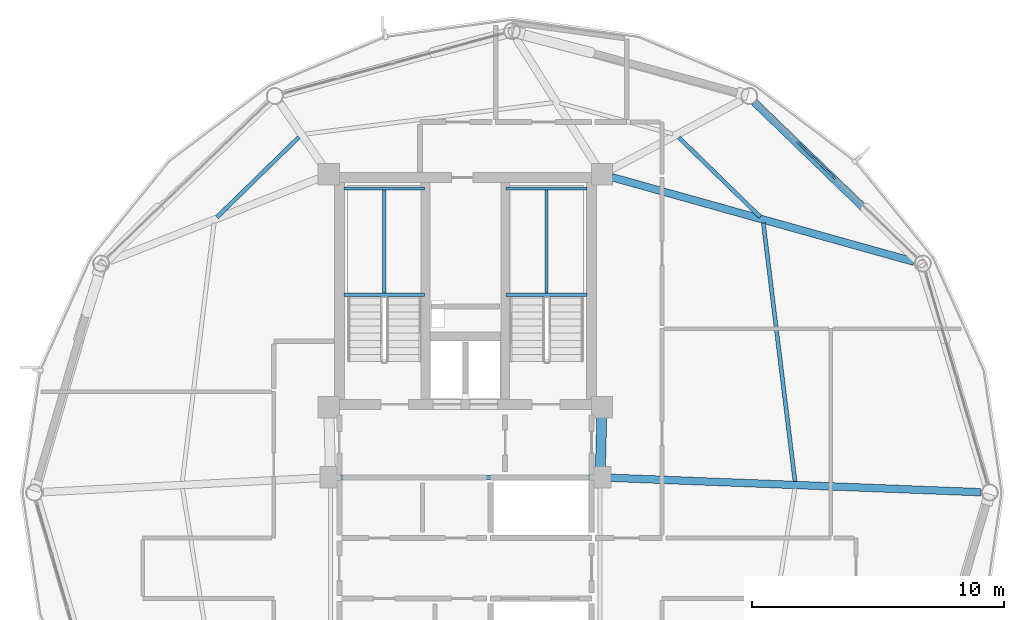
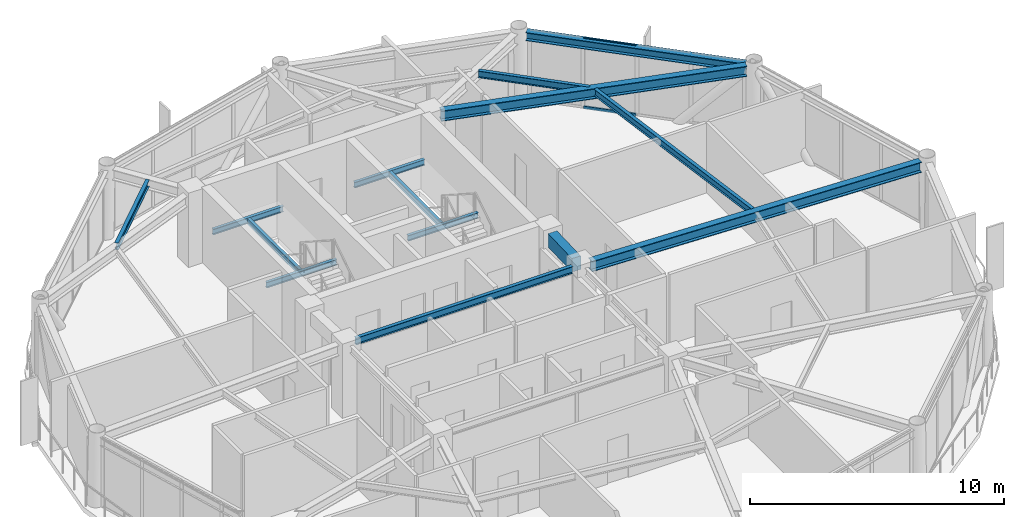
# One storey, part 14 of 26: 14 beams, 2 members, 1 element without a shape of its own.
"""IFC4 building model written with IfcOpenShell, lengths in metres."""

from ifc_helpers import new_model, si_unit, direction, frame, origin, origin_2d, place, context, subcontext, project, spatial, rectangle, hollow_rectangle, i_section, extrude, material, layer, layer_set, material_profile, profile_set, type_object, element, aggregate, save


model = new_model("IFC4")

# Units and contexts
model_context = context("Model", 3, precision=1e-05, world=origin(), true_north=direction((0.0, 1.0)))
body_context = subcontext(model_context, "Body", "Model", "MODEL_VIEW")
ifc_project = project(units=[si_unit("LENGTHUNIT", "METRE"), si_unit("AREAUNIT", "SQUARE_METRE"), si_unit("VOLUMEUNIT", "CUBIC_METRE"), si_unit("PLANEANGLEUNIT", "RADIAN"), si_unit("MASSUNIT", "GRAM", prefix="KILO")], contexts=[model_context])

# Site, building, storey
site_placement = place(None, origin())
site = spatial("IfcSite", under=ifc_project, at=site_placement, CompositionType="ELEMENT")
building_placement = place(site_placement, origin())
building = spatial("IfcBuilding", under=site, at=building_placement, Name="Varnakorn Sky Granary", CompositionType="ELEMENT")
storey_placement = place(building_placement, frame((0.0, 0.0, 222.0)))
storey = spatial("IfcBuildingStorey", under=building, at=storey_placement, Name="L56", CompositionType="ELEMENT", Elevation=222.0)

# Beams
ifc_material_1 = material(Name="Concrete C50/60", Category="concrete")
ifc_material_profile_1 = material_profile(ifc_material_1, rectangle(XDim=0.39990234375, YDim=0.64990234375, at=origin_2d()), Name="RC 400x650")
ifc_profile_set_1 = profile_set([ifc_material_profile_1], Name="Concrete C50/60")
beam_type_1 = type_object("IfcBeamType", Name="BM-LIN-650", PredefinedType="LINTEL", material=ifc_profile_set_1)
beam_1_placement = place(storey_placement, frame((8.409912109375, 2.97509765625, 3.034912109375), z_axis=(-0.025270737467, -0.99968064392, 0.0), x_axis=(0.99968064392, -0.025270737467, 0.0)))
element("IfcBeam", 1, at=beam_1_placement, inside=storey, type_object=beam_type_1, Name="Core Spine Framing Beam 2 L56", PredefinedType="LINTEL", context=body_context, shape_type="SweptSolid", body=[
    extrude(rectangle(XDim=0.39990234375, YDim=0.64990234375, at=origin_2d()), origin(), (0.0, 0.0, 1.0), 1.970947265625),
])
ifc_material_2 = material(Name="Steel S355JR", Category="steel")
ifc_material_profile_2 = material_profile(ifc_material_2, i_section(OverallWidth=0.135009765625, OverallDepth=0.27001953125, WebThickness=0.006591796875, FlangeThickness=0.01025390625, at=origin_2d()), Name="IPE 270")
ifc_profile_set_2 = profile_set([ifc_material_profile_2], Name="Steel S355JR")
beam_type_2 = type_object("IfcBeamType", Name="BM-LND-270", PredefinedType="BEAM", material=ifc_profile_set_2)
for number, where, z_axis, x_axis, name in (
    (2, (-1.820068359375, 7.840087890625, 1.465087890625), (1.0, 0.0, 0.0), (0.0, 1.0, 0.0), "Stair ST-1 Landing Trimmer Beam A L56-1"),
    (3, (-1.820068359375, 12.06005859375, 1.465087890625), (1.0, 0.0, 0.0), (0.0, 1.0, 0.0), "Stair ST-1 Landing Trimmer Beam B L56-1"),
):
    element("IfcBeam", number, at=place(storey_placement, frame(where, z_axis=z_axis, x_axis=x_axis)), inside=storey, type_object=beam_type_2, Name=name, PredefinedType="BEAM", context=body_context, shape_type="SweptSolid", body=[
        extrude(i_section(OverallWidth=0.135009765625, OverallDepth=0.27001953125, WebThickness=0.006591796875, FlangeThickness=0.01025390625, at=origin_2d()), origin(), (0.0, 0.0, 1.0), 3.199951171875),
    ])
beam_2_placement = place(storey_placement, frame((-0.219970703125, 7.840087890625, 1.465087890625), z_axis=(0.0, 1.0, 0.0), x_axis=(-1.0, 0.0, 0.0)))
element("IfcBeam", 4, at=beam_2_placement, inside=storey, type_object=beam_type_2, Name="Stair ST-1 Landing Cross Beam C L56-1", PredefinedType="BEAM", context=body_context, shape_type="SweptSolid", body=[
    extrude(i_section(OverallWidth=0.135009765625, OverallDepth=0.27001953125, WebThickness=0.006591796875, FlangeThickness=0.01025390625, at=origin_2d()), origin(), (0.0, 0.0, 1.0), 4.219970703125),
])
for number, where, z_axis, x_axis, name in (
    (5, (4.6201171875, 7.840087890625, 1.465087890625), (1.0, 0.0, 0.0), (0.0, 1.0, 0.0), "Stair ST-2 Landing Trimmer Beam A L56-1"),
    (6, (4.6201171875, 12.06005859375, 1.465087890625), (1.0, 0.0, 0.0), (0.0, 1.0, 0.0), "Stair ST-2 Landing Trimmer Beam B L56-1"),
):
    element("IfcBeam", number, at=place(storey_placement, frame(where, z_axis=z_axis, x_axis=x_axis)), inside=storey, type_object=beam_type_2, Name=name, PredefinedType="BEAM", context=body_context, shape_type="SweptSolid", body=[
        extrude(i_section(OverallWidth=0.135009765625, OverallDepth=0.27001953125, WebThickness=0.006591796875, FlangeThickness=0.01025390625, at=origin_2d()), origin(), (0.0, 0.0, 1.0), 3.199951171875),
    ])
beam_3_placement = place(storey_placement, frame((6.219970703125, 7.840087890625, 1.465087890625), z_axis=(0.0, 1.0, 0.0), x_axis=(-1.0, 0.0, 0.0)))
element("IfcBeam", 7, at=beam_3_placement, inside=storey, type_object=beam_type_2, Name="Stair ST-2 Landing Cross Beam C L56-1", PredefinedType="BEAM", context=body_context, shape_type="SweptSolid", body=[
    extrude(i_section(OverallWidth=0.135009765625, OverallDepth=0.27001953125, WebThickness=0.006591796875, FlangeThickness=0.01025390625, at=origin_2d()), origin(), (0.0, 0.0, 1.0), 4.219970703125),
])
ifc_material_profile_3 = material_profile(ifc_material_2, i_section(OverallWidth=0.300048828125, OverallDepth=0.5, WebThickness=0.014404296875, FlangeThickness=0.028076171875, at=origin_2d()), Name="HE 500 B")
ifc_profile_set_3 = profile_set([ifc_material_profile_3], Name="Steel S355JR")
beam_type_3 = type_object("IfcBeamType", Name="BM-RAD-Z4", PredefinedType="BEAM", material=ifc_profile_set_3)
beam_4_placement = place(storey_placement, frame((8.754638671875, 0.584228515625, 3.110107421875), z_axis=(0.999241957256, -0.038929562784, 0.0), x_axis=(0.038929562784, 0.999241957256, 0.0)))
element("IfcBeam", 8, at=beam_4_placement, inside=storey, type_object=beam_type_3, Name="Radial Floor Girder RG01 L56", PredefinedType="BEAM", context=body_context, shape_type="SweptSolid", body=[
    extrude(i_section(OverallWidth=0.300048828125, OverallDepth=0.5, WebThickness=0.014404296875, FlangeThickness=0.028076171875, at=origin_2d()), origin(), (0.0, 0.0, 1.0), 14.69384765625),
])
beam_5_placement = place(storey_placement, frame((8.81005859375, 12.5107421875, 3.110107421875), z_axis=(0.963000873755, -0.269498269284, 0.0), x_axis=(0.269498269284, 0.963000873755, 0.0)))
element("IfcBeam", 9, at=beam_5_placement, inside=storey, type_object=beam_type_3, Name="Radial Floor Girder RG02 L56", PredefinedType="BEAM", context=body_context, shape_type="SweptSolid", body=[
    extrude(i_section(OverallWidth=0.300048828125, OverallDepth=0.5, WebThickness=0.014404296875, FlangeThickness=0.028076171875, at=origin_2d()), origin(), (0.0, 0.0, 1.0), 12.449951171875),
])
ifc_material_profile_4 = material_profile(ifc_material_2, i_section(OverallWidth=0.159912109375, OverallDepth=0.330078125, WebThickness=0.007568359375, FlangeThickness=0.011474609375, at=origin_2d()), Name="IPE 330")
ifc_profile_set_4 = profile_set([ifc_material_profile_4], Name="Steel S355JR")
beam_type_4 = type_object("IfcBeamType", Name="BM-SEC-Z4", PredefinedType="BEAM", material=ifc_profile_set_4)
beam_6_placement = place(storey_placement, frame((16.078857421875, 0.437255859375, 3.195068359375), z_axis=(-0.121649973757, 0.99257306224, 0.0), x_axis=(-0.99257306224, -0.121649973757, 0.0)))
element("IfcBeam", 10, at=beam_6_placement, inside=storey, type_object=beam_type_4, Name="Secondary Floor Chord Beam MSB01 L56", PredefinedType="BEAM", context=body_context, shape_type="SweptSolid", body=[
    extrude(i_section(OverallWidth=0.159912109375, OverallDepth=0.330078125, WebThickness=0.007568359375, FlangeThickness=0.011474609375, at=origin_2d()), origin(), (0.0, 0.0, 1.0), 10.33349609375),
])
beam_7_placement = place(storey_placement, frame((14.70458984375, 10.930908203125, 3.195068359375), z_axis=(-0.715904346192, 0.698198372315, 0.0), x_axis=(-0.698198372315, -0.715904346192, 0.0)))
element("IfcBeam", 11, at=beam_7_placement, inside=storey, type_object=beam_type_4, Name="Secondary Floor Chord Beam MSB02 L56", PredefinedType="BEAM", context=body_context, shape_type="SweptSolid", body=[
    extrude(i_section(OverallWidth=0.159912109375, OverallDepth=0.330078125, WebThickness=0.007568359375, FlangeThickness=0.011474609375, at=origin_2d()), origin(), (0.0, 0.0, 1.0), 4.522705078125),
])
beam_8_placement = place(storey_placement, frame((-3.602294921875, 14.1044921875, 3.195068359375), z_axis=(-0.715063339478, -0.699059668794, 0.0), x_axis=(0.699059668794, -0.715063339478, 0.0)))
element("IfcBeam", 12, at=beam_8_placement, inside=storey, type_object=beam_type_4, Name="Secondary Floor Chord Beam MSB05 L56", PredefinedType="BEAM", context=body_context, shape_type="SweptSolid", body=[
    extrude(i_section(OverallWidth=0.159912109375, OverallDepth=0.330078125, WebThickness=0.007568359375, FlangeThickness=0.011474609375, at=origin_2d()), origin(), (0.0, 0.0, 1.0), 4.546142578125),
])
beam_9_placement = place(storey_placement, frame((-1.945068359375, 0.60009765625, 3.195068359375), z_axis=(1.0, 0.0, 0.0), x_axis=(0.0, 1.0, 0.0)))
element("IfcBeam", 13, at=beam_9_placement, inside=storey, type_object=beam_type_4, Name="Core Spine Framing Beam 5 L56", PredefinedType="BEAM", context=body_context, shape_type="SweptSolid", body=[
    extrude(i_section(OverallWidth=0.159912109375, OverallDepth=0.330078125, WebThickness=0.007568359375, FlangeThickness=0.011474609375, at=origin_2d()), origin(), (0.0, 0.0, 1.0), 9.89013671875),
])
ifc_material_profile_5 = material_profile(ifc_material_2, i_section(OverallWidth=0.300048828125, OverallDepth=0.39990234375, WebThickness=0.013427734375, FlangeThickness=0.02392578125, at=origin_2d()), Name="HE 400 B")
ifc_profile_set_5 = profile_set([ifc_material_profile_5], Name="Steel S355JR")
beam_type_5 = type_object("IfcBeamType", Name="BM-SPD-Z4", PredefinedType="SPANDREL", material=ifc_profile_set_5)
beam_10_placement = place(storey_placement, frame((20.876220703125, 9.289306640625, 3.159912109375), z_axis=(-0.718987920349, 0.695022568261, 0.0), x_axis=(-0.695022568261, -0.718987920349, 0.0)))
element("IfcBeam", 14, at=beam_10_placement, inside=storey, type_object=beam_type_5, Name="Perimeter Spandrel Ring Beam RB02 L56", PredefinedType="SPANDREL", context=body_context, shape_type="SweptSolid", body=[
    extrude(i_section(OverallWidth=0.300048828125, OverallDepth=0.39990234375, WebThickness=0.013427734375, FlangeThickness=0.02392578125, at=origin_2d()), origin(), (0.0, 0.0, 1.0), 8.924072265625),
])

# Curtain wall, members
ifc_material_3 = material(Name="Anodised Bronze Aluminium Alloy 6063-T6", Category="aluminium")
ifc_layer = layer(ifc_material_3, 0.169921875, Name="Anodised Bronze Aluminium Alloy 6063-T6")
ifc_layer_set = layer_set([ifc_layer], Name="Anodised Bronze Aluminium Alloy 6063-T6")
curtain_wall_type = type_object("IfcCurtainWallType", Name="CW-LAB-1", PredefinedType="USERDEFINED", material=ifc_layer_set)
curtain_wall_placement = place(storey_placement, origin())
curtain_wall = element("IfcCurtainWall", 15, at=curtain_wall_placement, inside=storey, type_object=curtain_wall_type, Name="Unitised Curtain Wall CW5 CW-L56-B02", ObjectType="CURTAIN WALL", PredefinedType="USERDEFINED")
ifc_material_profile_6 = material_profile(ifc_material_3, hollow_rectangle(XDim=0.070068359375, YDim=0.139892578125, WallThickness=0.00341796875, at=origin_2d()), Name="ALU TRAN 70x140")
ifc_profile_set_6 = profile_set([ifc_material_profile_6], Name="Anodised Bronze Aluminium Alloy 6063-T6")
member_type = type_object("IfcMemberType", Name="CW-LAB-1-TRAN", PredefinedType="USERDEFINED", material=ifc_profile_set_6)
member_1_placement = place(storey_placement, frame((16.154052734375, 13.9189453125, 0.034912109375), z_axis=(0.719572850606, -0.694416958801, 0.0), x_axis=(0.694416958801, 0.719572850606, 0.0)))
member_1 = element("IfcMember", 16, at=member_1_placement, type_object=member_type, Name="CW5 transom 2.1", ObjectType="TRANSOM", PredefinedType="USERDEFINED", context=body_context, shape_type="SweptSolid", body=[
    extrude(hollow_rectangle(XDim=0.070068359375, YDim=0.139892578125, WallThickness=0.00341796875, at=origin_2d()), origin(), (0.0, 0.0, 1.0), 2.135009765625),
])
member_2_placement = place(storey_placement, frame((16.154052734375, 13.9189453125, 3.324951171875), z_axis=(0.719572850606, -0.694416958801, 0.0), x_axis=(0.694416958801, 0.719572850606, 0.0)))
member_2 = element("IfcMember", 17, at=member_2_placement, type_object=member_type, Name="CW5 transom 2.2", ObjectType="TRANSOM", PredefinedType="USERDEFINED", context=body_context, shape_type="SweptSolid", body=[
    extrude(hollow_rectangle(XDim=0.070068359375, YDim=0.139892578125, WallThickness=0.00341796875, at=origin_2d()), origin(), (0.0, 0.0, 1.0), 2.135009765625),
])
aggregate(curtain_wall, [member_1, member_2])

save(model, "model.ifc")
